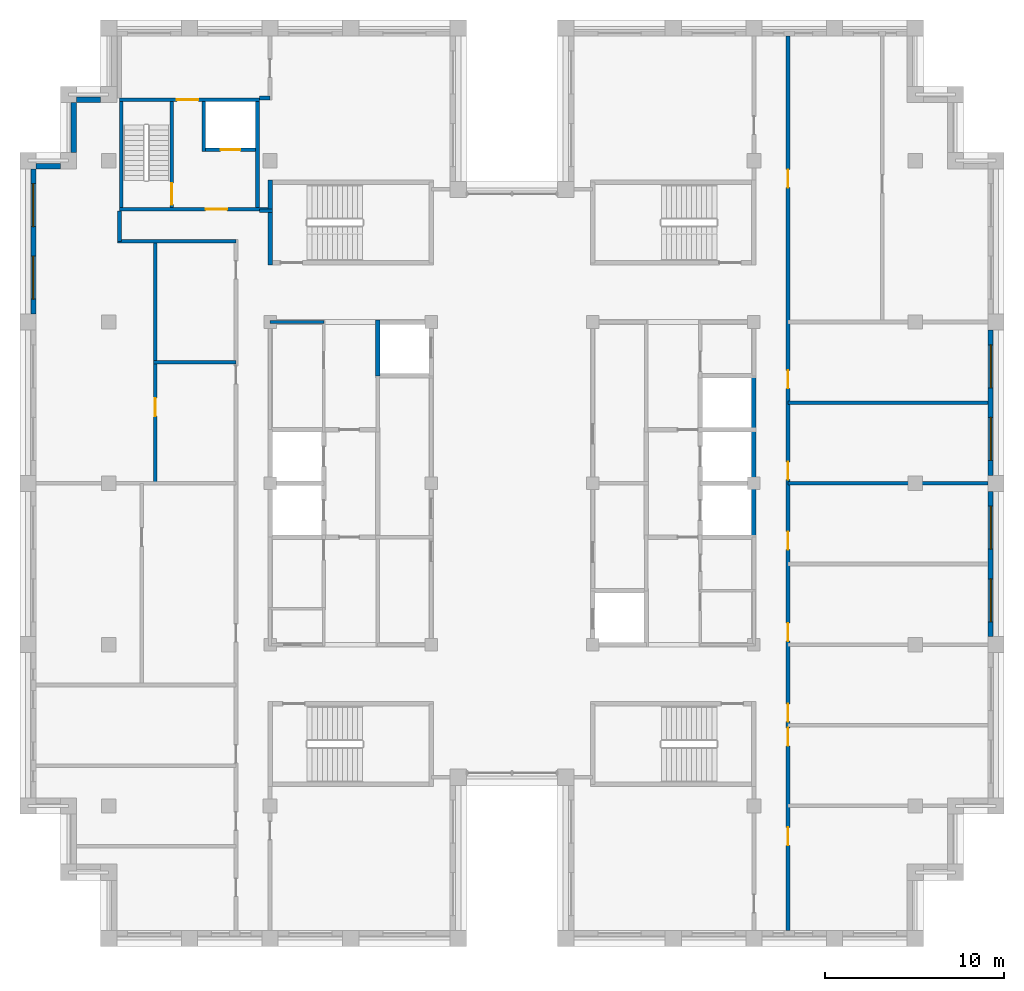
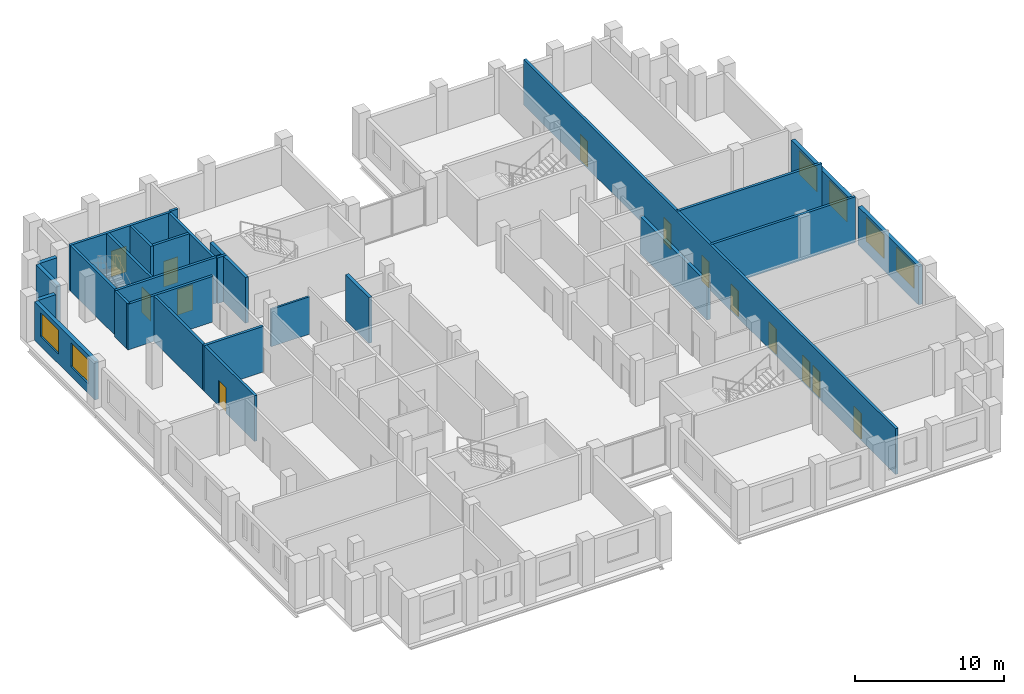
# One storey, part 9 of 13: 26 walls, 13 doors, 6 windows, 19 openings.
"""IFC4 building model written with IfcOpenShell, lengths in metres."""

import ifcopenshell
import ifcopenshell.guid

model = None  # the IFC model being written
_history = None  # IfcOwnerHistory: only IFC2X3 demands one
_inside = {}  # id of a spatial element -> (the spatial element, [elements in it])
_under = {}  # id of a project, library or spatial element -> (it, [spatial elements below it])
_declared = {}  # id of a project -> (the project, [libraries it declares])
_typed = {}  # id of a type object -> (the type object, [elements of that type])
_made_of = {}  # id of a material, layer set ... -> (it, [elements and type objects made of it])


def new_model(schema):
    """Start an empty IFC model of exactly this schema.

    Asked for "IFC4X3", IfcOpenShell would pick the latest addendum, in which some entities
    have other attributes; the version numbers below select the first issue.
    IFC2X3 requires an IfcOwnerHistory on every rooted entity: one is made here for all.
    """
    global model, _history
    if schema == "IFC4X3":
        model = ifcopenshell.file(schema_version=(4, 3, 0, 0))
    else:
        model = ifcopenshell.file(schema=schema)
    _inside.clear()
    _under.clear()
    _declared.clear()
    _typed.clear()
    _made_of.clear()
    _history = None
    if model.schema == "IFC2X3":
        org = make("IfcOrganization", Name="unknown")
        user = make(
            "IfcPersonAndOrganization",
            ThePerson=make("IfcPerson", FamilyName="unknown"),
            TheOrganization=org,
        )
        app = make(
            "IfcApplication",
            ApplicationDeveloper=org,
            Version="unknown",
            ApplicationFullName="unknown",
            ApplicationIdentifier="unknown",
        )
        _history = make(
            "IfcOwnerHistory",
            OwningUser=user,
            OwningApplication=app,
            ChangeAction="ADDED",
            CreationDate=0,
        )
    return model


def make(cls, **values):
    """One entity of the class cls with the attributes given. An attribute that is None is left unset."""
    return model.create_entity(
        cls, **{name: value for name, value in values.items() if value is not None}
    )


def rooted(cls, **values):
    """An entity with a GlobalId (a new one), such as an element, a storey or a relation."""
    return make(cls, GlobalId=ifcopenshell.guid.new(), OwnerHistory=_history, **values)


def si_unit(unit_type, name, prefix=None):
    """IfcSIUnit, for example si_unit("LENGTHUNIT", "METRE", prefix="MILLI")."""
    return make("IfcSIUnit", UnitType=unit_type, Prefix=prefix, Name=name)


def assignment(units):
    """IfcUnitAssignment: the units of a project."""
    return None if units is None else make("IfcUnitAssignment", Units=units)


def point(xyz):
    """IfcCartesianPoint."""
    return None if xyz is None else make("IfcCartesianPoint", Coordinates=xyz)


def direction(xyz):
    """IfcDirection."""
    return None if xyz is None else make("IfcDirection", DirectionRatios=xyz)


def frame(location, z_axis=None, x_axis=None):
    """IfcAxis2Placement3D, a coordinate frame: its origin and axes. An axis left out is left unset."""
    return make(
        "IfcAxis2Placement3D",
        Location=point(location),
        Axis=direction(z_axis),
        RefDirection=direction(x_axis),
    )


def frame_2d(location, x_axis=None):
    """IfcAxis2Placement2D, a coordinate frame in the plane: its origin and x axis."""
    return make(
        "IfcAxis2Placement2D", Location=point(location), RefDirection=direction(x_axis)
    )


def origin():
    """The frame at (0, 0, 0) with its axes left unset."""
    return frame((0.0, 0.0, 0.0))


def place(relative_to, where):
    """IfcLocalPlacement: puts the frame where relative to a parent placement (None: the world)."""
    return make(
        "IfcLocalPlacement", PlacementRelTo=relative_to, RelativePlacement=where
    )


def context(
    kind, dimensions, precision=None, world=None, true_north=None, identifier=None
):
    """IfcGeometricRepresentationContext, for example the 3D "Model" context."""
    return make(
        "IfcGeometricRepresentationContext",
        ContextIdentifier=identifier,
        ContextType=kind,
        CoordinateSpaceDimension=dimensions,
        Precision=precision,
        WorldCoordinateSystem=world,
        TrueNorth=true_north,
    )


def subcontext(parent, identifier, kind, view, scale=None):
    """IfcGeometricRepresentationSubContext, for example "Body" below "Model"."""
    return make(
        "IfcGeometricRepresentationSubContext",
        ContextIdentifier=identifier,
        ContextType=kind,
        ParentContext=parent,
        TargetScale=scale,
        TargetView=view,
    )


def project(units=None, contexts=None):
    """IfcProject with its units and contexts."""
    return rooted(
        "IfcProject",
        Name="project",
        RepresentationContexts=contexts,
        UnitsInContext=assignment(units),
    )


def spatial(cls, under=None, at=None, **own):
    """A site, building, storey or space (cls), placed at a placement, below another one or the project."""
    s = rooted(cls, ObjectPlacement=at, **own)
    if under is not None:
        _under.setdefault(under.id(), (under, []))[1].append(s)
    return s


def profile(cls, at=None, kind="AREA", **sizes):
    """A parametric profile (cls). Its sizes go by their IFC names, for example OverallWidth=200.0."""
    return make(cls, ProfileType=kind, Position=at, **sizes)


def rectangle(**sizes):
    """IfcRectangleProfileDef."""
    return profile("IfcRectangleProfileDef", **sizes)


def extrude(swept, where, along, depth):
    """IfcExtrudedAreaSolid: the profile swept, set in the frame where, extruded along a direction by depth."""
    return make(
        "IfcExtrudedAreaSolid",
        SweptArea=swept,
        Position=where,
        ExtrudedDirection=direction(along),
        Depth=depth,
    )


def shape(context_of_items, identifier, shape_type, items):
    """IfcShapeRepresentation: the items that make up one representation, for example the "Body"."""
    return make(
        "IfcShapeRepresentation",
        ContextOfItems=context_of_items,
        RepresentationIdentifier=identifier,
        RepresentationType=shape_type,
        Items=items,
    )


def material(Name=None, Category=None):
    """IfcMaterial."""
    return make("IfcMaterial", Name=Name, Category=Category)


def layer(
    of_material, thickness, ventilated=None, Name=None, Category=None, Priority=None
):
    """IfcMaterialLayer: one layer of a wall or slab, of a material (None: an air gap)."""
    return make(
        "IfcMaterialLayer",
        Material=of_material,
        LayerThickness=thickness,
        IsVentilated=ventilated,
        Name=Name,
        Category=Category,
        Priority=Priority,
    )


def layer_set(layers, Name=None):
    """IfcMaterialLayerSet."""
    return make("IfcMaterialLayerSet", MaterialLayers=layers, LayerSetName=Name)


def made_of(thing, what):
    """Note that an element or type object is made of a material, layer set ...; save() writes the relation."""
    if what is not None:
        _made_of.setdefault(what.id(), (what, []))[1].append(thing)
    return thing


def type_object(cls, material=None, **own):
    """A type object (cls), such as IfcWallType, which elements share."""
    return made_of(rooted(cls, **own), material)


def element(
    cls,
    number,
    at=None,
    inside=None,
    cuts=None,
    type_object=None,
    material=None,
    context=None,
    identifier="Body",
    shape_type=None,
    held_by="IfcProductDefinitionShape",
    body=None,
    shapes=None,
    **own,
):
    """One element of the class cls, such as IfcWall. Its Tag is "e" and its number.

    at: its placement. inside: the storey or other place that contains it. cuts: it is an
    opening in that element (IfcRelVoidsElement). A single representation is given by context,
    identifier, shape_type and body (its items); several are given by shapes. held_by: the class
    of the entity that holds the representations. save() writes the other relations.
    """
    e = rooted(cls, Tag="e%d" % number, ObjectPlacement=at, **own)
    if body is not None:
        shapes = [shape(context, identifier, shape_type, body)]
    if shapes is not None:
        e.Representation = make(held_by, Representations=shapes)
    if inside is not None:
        _inside.setdefault(inside.id(), (inside, []))[1].append(e)
    if cuts is not None:
        rooted(
            "IfcRelVoidsElement", RelatingBuildingElement=cuts, RelatedOpeningElement=e
        )
    if type_object is not None:
        _typed.setdefault(type_object.id(), (type_object, []))[1].append(e)
    return made_of(e, material)


def fill(opening, filler):
    """IfcRelFillsElement: the door or window that sits in an opening."""
    return rooted(
        "IfcRelFillsElement",
        RelatingOpeningElement=opening,
        RelatedBuildingElement=filler,
    )


def aggregate(whole, parts):
    """IfcRelAggregates: a whole, such as a stair, and the parts it consists of."""
    return rooted("IfcRelAggregates", RelatingObject=whole, RelatedObjects=parts)


def save(model, path):
    """Write the relations noted so far, then the file.

    IfcRelAggregates (storeys below a building ...), IfcRelContainedInSpatialStructure (elements
    in a storey), IfcRelDefinesByType, IfcRelAssociatesMaterial and IfcRelDeclares: one each for
    every whole, place, type object, material and project.
    """
    for whole, parts in _under.values():
        aggregate(whole, parts)
    for where, things in _inside.values():
        rooted(
            "IfcRelContainedInSpatialStructure",
            RelatedElements=things,
            RelatingStructure=where,
        )
    for kind, things in _typed.values():
        rooted("IfcRelDefinesByType", RelatedObjects=things, RelatingType=kind)
    for what, things in _made_of.values():
        rooted("IfcRelAssociatesMaterial", RelatedObjects=things, RelatingMaterial=what)
    for by, libraries in _declared.values():
        rooted("IfcRelDeclares", RelatingContext=by, RelatedDefinitions=libraries)
    model.write(path)


model = new_model("IFC4")

# Units and contexts
model_context = context("Model", 3, precision=1e-05, world=origin(), true_north=direction((0.0, 1.0)))
body_context = subcontext(model_context, "Body", "Model", "MODEL_VIEW")
ifc_project = project(units=[si_unit("LENGTHUNIT", "METRE"), si_unit("AREAUNIT", "SQUARE_METRE"), si_unit("VOLUMEUNIT", "CUBIC_METRE"), si_unit("PLANEANGLEUNIT", "RADIAN"), si_unit("MASSUNIT", "GRAM", prefix="KILO")], contexts=[model_context])

# Site, building, storey
site_placement = place(None, origin())
site = spatial("IfcSite", under=ifc_project, at=site_placement, CompositionType="ELEMENT")
building_placement = place(site_placement, origin())
building = spatial("IfcBuilding", under=site, at=building_placement, Name="Corbelhall Arena Tower", CompositionType="ELEMENT")
storey_placement = place(building_placement, frame((0.0, 0.0, 338.0)))
storey = spatial("IfcBuildingStorey", under=building, at=storey_placement, Name="L74", CompositionType="ELEMENT", Elevation=338.0)

# Walls
ifc_material_1 = material(Name="Precast concrete C40/50 with granite facing", Category="masonry")
ifc_layer_1 = layer(ifc_material_1, 0.300048828125)
ifc_layer_set_1 = layer_set([ifc_layer_1], Name="EV-IW1 Infill panel 300")
wall_type_1 = type_object("IfcWallType", Name="EV-IW1 Infill panel 300", PredefinedType="SOLIDWALL", material=ifc_layer_set_1)
wall_1_placement = place(storey_placement, frame((-24.449951171875, 21.25, 0.0), z_axis=(0.0, 0.0, 1.0), x_axis=(0.0, -1.0, 0.0)))
element("IfcWall", 1, at=wall_1_placement, inside=storey, type_object=wall_type_1, Name="Infill panel IW1", PredefinedType="SOLIDWALL", context=body_context, shape_type="SweptSolid", body=[
    extrude(rectangle(XDim=2.800048828125, YDim=0.300048828125, at=frame_2d((1.39990234375, 0.0))), origin(), (0.0, 0.0, 1.0), 3.139892578125),
])
wall_2_placement = place(storey_placement, frame((-25.199951171875, 17.699951171875, 0.0), z_axis=(0.0, 0.0, 1.0), x_axis=(-1.0, 0.0, 0.0)))
element("IfcWall", 2, at=wall_2_placement, inside=storey, type_object=wall_type_1, Name="Infill panel IW1", PredefinedType="SOLIDWALL", context=body_context, shape_type="SweptSolid", body=[
    extrude(rectangle(XDim=1.35009765625, YDim=0.300048828125, at=frame_2d((0.675048828125, 0.0))), origin(), (0.0, 0.0, 1.0), 3.139892578125),
])

# Wall, openings, windows
wall_3_placement = place(storey_placement, frame((-26.699951171875, 17.550048828125, 0.0), z_axis=(0.0, 0.0, 1.0), x_axis=(0.0, -1.0, 0.0)))
wall_3 = element("IfcWall", 3, at=wall_3_placement, inside=storey, type_object=wall_type_1, Name="Infill panel IW1", PredefinedType="SOLIDWALL", context=body_context, shape_type="SweptSolid", body=[
    extrude(rectangle(XDim=8.10009765625, YDim=0.300048828125, at=frame_2d((4.050048828125, 0.0))), origin(), (0.0, 0.0, 1.0), 3.139892578125),
])
opening_1_placement = place(wall_3_placement, frame((0.824951171875, 0.0, 0.800048828125)))
opening_1 = element("IfcOpeningElement", 4, at=opening_1_placement, cuts=wall_3, Name="Opening WN1", PredefinedType="OPENING", context=body_context, shape_type="SweptSolid", body=[
    extrude(rectangle(XDim=2.39990234375, YDim=1.949951171875, at=frame_2d((1.199951171875, 0.97509765625))), frame((0.0, 0.14990234375, 0.0), z_axis=(0.0, -1.0, 0.0), x_axis=(1.0, 0.0, 0.0)), (0.0, 0.0, 1.0), 0.300048828125),
])
opening_2_placement = place(wall_3_placement, frame((4.875, 0.0, 0.800048828125)))
opening_2 = element("IfcOpeningElement", 5, at=opening_2_placement, cuts=wall_3, Name="Opening WN1", PredefinedType="OPENING", context=body_context, shape_type="SweptSolid", body=[
    extrude(rectangle(XDim=2.39990234375, YDim=1.949951171875, at=frame_2d((1.199951171875, 0.97509765625))), frame((0.0, 0.14990234375, 0.0), z_axis=(0.0, -1.0, 0.0), x_axis=(1.0, 0.0, 0.0)), (0.0, 0.0, 1.0), 0.300048828125),
])
ifc_material_2 = material(Name="Aluminium black anodised", Category="aluminium")
window_type = type_object("IfcWindowType", Name="EV-WN1 Office window", PartitioningType="SINGLE_PANEL", PredefinedType="WINDOW", material=ifc_material_2)
window_1_placement = place(opening_1_placement, origin())
window_1 = element("IfcWindow", 6, at=window_1_placement, inside=storey, type_object=window_type, Name="Window WN1", OverallHeight=1.949951171875, OverallWidth=2.39990234375, PartitioningType="SINGLE_PANEL", PredefinedType="WINDOW", context=body_context, shape_type="SweptSolid", body=[
    extrude(rectangle(XDim=2.39990234375, YDim=1.949951171875, at=frame_2d((1.199951171875, 0.97509765625))), frame((0.0, 0.030029296875, 0.0), z_axis=(0.0, -1.0, 0.0), x_axis=(1.0, 0.0, 0.0)), (0.0, 0.0, 1.0), 0.06005859375),
])
fill(opening_1, window_1)
window_2_placement = place(opening_2_placement, origin())
window_2 = element("IfcWindow", 7, at=window_2_placement, inside=storey, type_object=window_type, Name="Window WN1", OverallHeight=1.949951171875, OverallWidth=2.39990234375, PartitioningType="SINGLE_PANEL", PredefinedType="WINDOW", context=body_context, shape_type="SweptSolid", body=[
    extrude(rectangle(XDim=2.39990234375, YDim=1.949951171875, at=frame_2d((1.199951171875, 0.97509765625))), frame((0.0, 0.030029296875, 0.0), z_axis=(0.0, -1.0, 0.0), x_axis=(1.0, 0.0, 0.0)), (0.0, 0.0, 1.0), 0.06005859375),
])
fill(opening_2, window_2)

wall_4_placement = place(storey_placement, frame((26.699951171875, -8.550048828125, 0.0), z_axis=(0.0, 0.0, 1.0), x_axis=(0.0, 1.0, 0.0)))
wall_4 = element("IfcWall", 8, at=wall_4_placement, inside=storey, type_object=wall_type_1, Name="Infill panel IW1", PredefinedType="SOLIDWALL", context=body_context, shape_type="SweptSolid", body=[
    extrude(rectangle(XDim=8.10009765625, YDim=0.300048828125, at=frame_2d((4.050048828125, 0.0))), origin(), (0.0, 0.0, 1.0), 3.139892578125),
])
opening_3_placement = place(wall_4_placement, frame((0.824951171875, 0.0, 0.800048828125)))
opening_3 = element("IfcOpeningElement", 9, at=opening_3_placement, cuts=wall_4, Name="Opening WN1", PredefinedType="OPENING", context=body_context, shape_type="SweptSolid", body=[
    extrude(rectangle(XDim=2.39990234375, YDim=1.949951171875, at=frame_2d((1.199951171875, 0.97509765625))), frame((0.0, 0.14990234375, 0.0), z_axis=(0.0, -1.0, 0.0), x_axis=(1.0, 0.0, 0.0)), (0.0, 0.0, 1.0), 0.300048828125),
])
opening_4_placement = place(wall_4_placement, frame((4.875, 0.0, 0.800048828125)))
opening_4 = element("IfcOpeningElement", 10, at=opening_4_placement, cuts=wall_4, Name="Opening WN1", PredefinedType="OPENING", context=body_context, shape_type="SweptSolid", body=[
    extrude(rectangle(XDim=2.39990234375, YDim=1.949951171875, at=frame_2d((1.199951171875, 0.97509765625))), frame((0.0, 0.14990234375, 0.0), z_axis=(0.0, -1.0, 0.0), x_axis=(1.0, 0.0, 0.0)), (0.0, 0.0, 1.0), 0.300048828125),
])
window_3_placement = place(opening_3_placement, origin())
window_3 = element("IfcWindow", 11, at=window_3_placement, inside=storey, type_object=window_type, Name="Window WN1", OverallHeight=1.949951171875, OverallWidth=2.39990234375, PartitioningType="SINGLE_PANEL", PredefinedType="WINDOW", context=body_context, shape_type="SweptSolid", body=[
    extrude(rectangle(XDim=2.39990234375, YDim=1.949951171875, at=frame_2d((1.199951171875, 0.97509765625))), frame((0.0, 0.030029296875, 0.0), z_axis=(0.0, -1.0, 0.0), x_axis=(1.0, 0.0, 0.0)), (0.0, 0.0, 1.0), 0.06005859375),
])
fill(opening_3, window_3)
window_4_placement = place(opening_4_placement, origin())
window_4 = element("IfcWindow", 12, at=window_4_placement, inside=storey, type_object=window_type, Name="Window WN1", OverallHeight=1.949951171875, OverallWidth=2.39990234375, PartitioningType="SINGLE_PANEL", PredefinedType="WINDOW", context=body_context, shape_type="SweptSolid", body=[
    extrude(rectangle(XDim=2.39990234375, YDim=1.949951171875, at=frame_2d((1.199951171875, 0.97509765625))), frame((0.0, 0.030029296875, 0.0), z_axis=(0.0, -1.0, 0.0), x_axis=(1.0, 0.0, 0.0)), (0.0, 0.0, 1.0), 0.06005859375),
])
fill(opening_4, window_4)

wall_5_placement = place(storey_placement, frame((26.699951171875, 0.449951171875, 0.0), z_axis=(0.0, 0.0, 1.0), x_axis=(0.0, 1.0, 0.0)))
wall_5 = element("IfcWall", 13, at=wall_5_placement, inside=storey, type_object=wall_type_1, Name="Infill panel IW1", PredefinedType="SOLIDWALL", context=body_context, shape_type="SweptSolid", body=[
    extrude(rectangle(XDim=8.10009765625, YDim=0.300048828125, at=frame_2d((4.050048828125, 0.0))), origin(), (0.0, 0.0, 1.0), 3.139892578125),
])
opening_5_placement = place(wall_5_placement, frame((0.824951171875, 0.0, 0.800048828125)))
opening_5 = element("IfcOpeningElement", 14, at=opening_5_placement, cuts=wall_5, Name="Opening WN1", PredefinedType="OPENING", context=body_context, shape_type="SweptSolid", body=[
    extrude(rectangle(XDim=2.39990234375, YDim=1.949951171875, at=frame_2d((1.199951171875, 0.97509765625))), frame((0.0, 0.14990234375, 0.0), z_axis=(0.0, -1.0, 0.0), x_axis=(1.0, 0.0, 0.0)), (0.0, 0.0, 1.0), 0.300048828125),
])
opening_6_placement = place(wall_5_placement, frame((4.875, 0.0, 0.800048828125)))
opening_6 = element("IfcOpeningElement", 15, at=opening_6_placement, cuts=wall_5, Name="Opening WN1", PredefinedType="OPENING", context=body_context, shape_type="SweptSolid", body=[
    extrude(rectangle(XDim=2.39990234375, YDim=1.949951171875, at=frame_2d((1.199951171875, 0.97509765625))), frame((0.0, 0.14990234375, 0.0), z_axis=(0.0, -1.0, 0.0), x_axis=(1.0, 0.0, 0.0)), (0.0, 0.0, 1.0), 0.300048828125),
])
window_5_placement = place(opening_5_placement, origin())
window_5 = element("IfcWindow", 16, at=window_5_placement, inside=storey, type_object=window_type, Name="Window WN1", OverallHeight=1.949951171875, OverallWidth=2.39990234375, PartitioningType="SINGLE_PANEL", PredefinedType="WINDOW", context=body_context, shape_type="SweptSolid", body=[
    extrude(rectangle(XDim=2.39990234375, YDim=1.949951171875, at=frame_2d((1.199951171875, 0.97509765625))), frame((0.0, 0.030029296875, 0.0), z_axis=(0.0, -1.0, 0.0), x_axis=(1.0, 0.0, 0.0)), (0.0, 0.0, 1.0), 0.06005859375),
])
fill(opening_5, window_5)
window_6_placement = place(opening_6_placement, origin())
window_6 = element("IfcWindow", 17, at=window_6_placement, inside=storey, type_object=window_type, Name="Window WN1", OverallHeight=1.949951171875, OverallWidth=2.39990234375, PartitioningType="SINGLE_PANEL", PredefinedType="WINDOW", context=body_context, shape_type="SweptSolid", body=[
    extrude(rectangle(XDim=2.39990234375, YDim=1.949951171875, at=frame_2d((1.199951171875, 0.97509765625))), frame((0.0, 0.030029296875, 0.0), z_axis=(0.0, -1.0, 0.0), x_axis=(1.0, 0.0, 0.0)), (0.0, 0.0, 1.0), 0.06005859375),
])
fill(opening_6, window_6)

# Walls
wall_6_placement = place(storey_placement, frame((-22.949951171875, 21.39990234375, 0.0), z_axis=(0.0, 0.0, 1.0), x_axis=(-1.0, 0.0, 0.0)))
element("IfcWall", 18, at=wall_6_placement, inside=storey, type_object=wall_type_1, Name="Infill panel IW1", PredefinedType="SOLIDWALL", context=body_context, shape_type="SweptSolid", body=[
    extrude(rectangle(XDim=1.35009765625, YDim=0.300048828125, at=frame_2d((0.675048828125, 0.0))), origin(), (0.0, 0.0, 1.0), 3.139892578125),
])
ifc_material_3 = material(Name="Gypsum board on steel stud, acoustic", Category="steel")
ifc_layer_2 = layer(ifc_material_3, 0.199951171875)
ifc_layer_set_2 = layer_set([ifc_layer_2], Name="IN-W-DM200")
wall_type_2 = type_object("IfcWallType", Name="IN-W-DM200", PredefinedType="PARTITIONING", material=ifc_layer_set_2)
wall_7_placement = place(storey_placement, frame((-21.89990234375, 13.5, 0.0), z_axis=(0.0, 0.0, 1.0), x_axis=(0.0, 1.0, 0.0)))
element("IfcWall", 19, at=wall_7_placement, inside=storey, type_object=wall_type_2, Name="Partition 004", PredefinedType="PARTITIONING", context=body_context, shape_type="SweptSolid", body=[
    extrude(rectangle(XDim=1.699951171875, YDim=0.199951171875, at=frame_2d((0.85009765625, 0.0))), origin(), (0.0, 0.0, 1.0), 3.739990234375),
])
wall_8_placement = place(storey_placement, frame((-20.0, 6.75, 0.0), z_axis=(0.0, 0.0, 1.0), x_axis=(1.0, 0.0, 0.0)))
element("IfcWall", 20, at=wall_8_placement, inside=storey, type_object=wall_type_2, Name="Partition 008", PredefinedType="PARTITIONING", context=body_context, shape_type="SweptSolid", body=[
    extrude(rectangle(XDim=4.60009765625, YDim=0.199951171875, at=frame_2d((2.300048828125, 0.0))), origin(), (0.0, 0.0, 1.0), 3.739990234375),
])

# Wall, opening, door
wall_9_placement = place(storey_placement, frame((-19.89990234375, -0.10009765625, 0.0), z_axis=(0.0, 0.0, 1.0), x_axis=(0.0, 1.0, 0.0)))
wall_9 = element("IfcWall", 21, at=wall_9_placement, inside=storey, type_object=wall_type_2, Name="Partition 009", PredefinedType="PARTITIONING", context=body_context, shape_type="SweptSolid", body=[
    extrude(rectangle(XDim=13.60009765625, YDim=0.199951171875, at=frame_2d((6.800048828125, 0.0))), origin(), (0.0, 0.0, 1.0), 3.739990234375),
])
opening_7_placement = place(wall_9_placement, frame((3.85009765625, 0.0, 0.0)))
opening_7 = element("IfcOpeningElement", 22, at=opening_7_placement, cuts=wall_9, Name="Opening 24024", PredefinedType="OPENING", context=body_context, shape_type="SweptSolid", body=[
    extrude(rectangle(XDim=1.0, YDim=2.10009765625, at=frame_2d((0.5, 1.050048828125))), frame((0.0, 0.10009765625, 0.0), z_axis=(0.0, -1.0, 0.0), x_axis=(1.0, 0.0, 0.0)), (0.0, 0.0, 1.0), 0.199951171875),
])
ifc_material_4 = material(Name="Steel door set", Category="steel")
door_type_1 = type_object("IfcDoorType", Name="IN-D-SW100", OperationType="NOTDEFINED", PredefinedType="DOOR", material=ifc_material_4)
door_1_placement = place(opening_7_placement, origin())
door_1 = element("IfcDoor", 23, at=door_1_placement, inside=storey, type_object=door_type_1, Name="Door 024", OperationType="SINGLE_SWING_LEFT", OverallHeight=2.10009765625, OverallWidth=1.0, PredefinedType="DOOR", context=body_context, shape_type="SweptSolid", body=[
    extrude(rectangle(XDim=1.0, YDim=2.10009765625, at=frame_2d((0.5, 1.050048828125))), frame((0.0, 0.02490234375, 0.0), z_axis=(0.0, -1.0, 0.0), x_axis=(1.0, 0.0, 0.0)), (0.0, 0.0, 1.0), 0.050048828125),
])
fill(opening_7, door_1)

# Walls
wall_10_placement = place(storey_placement, frame((-15.39990234375, 13.5, 0.0), z_axis=(0.0, 0.0, 1.0), x_axis=(-1.0, 0.0, 0.0)))
element("IfcWall", 24, at=wall_10_placement, inside=storey, type_object=wall_type_2, Name="Partition 010", PredefinedType="PARTITIONING", context=body_context, shape_type="SweptSolid", body=[
    extrude(rectangle(XDim=6.60009765625, YDim=0.199951171875, at=frame_2d((3.300048828125, 0.0))), origin(), (0.0, 0.0, 1.0), 3.739990234375),
])
wall_11_placement = place(storey_placement, frame((-14.10009765625, 15.199951171875, 0.0), z_axis=(0.0, 0.0, 1.0), x_axis=(1.0, 0.0, 0.0)))
element("IfcWall", 25, at=wall_11_placement, inside=storey, type_object=wall_type_2, Name="Partition 012", PredefinedType="PARTITIONING", context=body_context, shape_type="SweptSolid", body=[
    extrude(rectangle(XDim=0.72509765625, YDim=0.199951171875, at=frame_2d((0.362548828125, 0.0))), origin(), (0.0, 0.0, 1.0), 3.739990234375),
])
wall_12_placement = place(storey_placement, frame((-13.5, 21.5, 0.0), z_axis=(0.0, 0.0, 1.0), x_axis=(-1.0, 0.0, 0.0)))
element("IfcWall", 26, at=wall_12_placement, inside=storey, type_object=wall_type_2, Name="Partition 014", PredefinedType="PARTITIONING", context=body_context, shape_type="SweptSolid", body=[
    extrude(rectangle(XDim=0.60009765625, YDim=0.199951171875, at=frame_2d((0.300048828125, 0.0))), origin(), (0.0, 0.0, 1.0), 3.739990234375),
])

# Wall, openings, doors
wall_13_placement = place(storey_placement, frame((15.39990234375, 24.949951171875, 0.0), z_axis=(0.0, 0.0, 1.0), x_axis=(0.0, -1.0, 0.0)))
wall_13 = element("IfcWall", 27, at=wall_13_placement, inside=storey, type_object=wall_type_2, Name="Partition 023", PredefinedType="PARTITIONING", context=body_context, shape_type="SweptSolid", body=[
    extrude(rectangle(XDim=49.89990234375, YDim=0.199951171875, at=frame_2d((24.949951171875, 0.0))), origin(), (0.0, 0.0, 1.0), 3.739990234375),
])
opening_8_placement = place(wall_13_placement, frame((23.75, 0.0, 0.0)))
opening_8 = element("IfcOpeningElement", 28, at=opening_8_placement, cuts=wall_13, Name="Opening 24030", PredefinedType="OPENING", context=body_context, shape_type="SweptSolid", body=[
    extrude(rectangle(XDim=1.0, YDim=2.10009765625, at=frame_2d((0.5, 1.050048828125))), frame((0.0, 0.10009765625, 0.0), z_axis=(0.0, -1.0, 0.0), x_axis=(1.0, 0.0, 0.0)), (0.0, 0.0, 1.0), 0.199951171875),
])
opening_9_placement = place(wall_13_placement, frame((18.64990234375, 0.0, 0.0)))
opening_9 = element("IfcOpeningElement", 29, at=opening_9_placement, cuts=wall_13, Name="Opening 24031", PredefinedType="OPENING", context=body_context, shape_type="SweptSolid", body=[
    extrude(rectangle(XDim=1.0, YDim=2.10009765625, at=frame_2d((0.5, 1.050048828125))), frame((0.0, 0.10009765625, 0.0), z_axis=(0.0, -1.0, 0.0), x_axis=(1.0, 0.0, 0.0)), (0.0, 0.0, 1.0), 0.199951171875),
])
opening_10_placement = place(wall_13_placement, frame((7.449951171875, 0.0, 0.0)))
opening_10 = element("IfcOpeningElement", 30, at=opening_10_placement, cuts=wall_13, Name="Opening 24032", PredefinedType="OPENING", context=body_context, shape_type="SweptSolid", body=[
    extrude(rectangle(XDim=1.0, YDim=2.10009765625, at=frame_2d((0.5, 1.050048828125))), frame((0.0, 0.10009765625, 0.0), z_axis=(0.0, -1.0, 0.0), x_axis=(1.0, 0.0, 0.0)), (0.0, 0.0, 1.0), 0.199951171875),
])
opening_11_placement = place(wall_13_placement, frame((44.14990234375, 0.0, 0.0)))
opening_11 = element("IfcOpeningElement", 31, at=opening_11_placement, cuts=wall_13, Name="Opening 24034", PredefinedType="OPENING", context=body_context, shape_type="SweptSolid", body=[
    extrude(rectangle(XDim=1.0, YDim=2.10009765625, at=frame_2d((0.5, 1.050048828125))), frame((0.0, 0.10009765625, 0.0), z_axis=(0.0, -1.0, 0.0), x_axis=(1.0, 0.0, 0.0)), (0.0, 0.0, 1.0), 0.199951171875),
])
opening_12_placement = place(wall_13_placement, frame((38.60009765625, 0.0, 0.0)))
opening_12 = element("IfcOpeningElement", 32, at=opening_12_placement, cuts=wall_13, Name="Opening 24035", PredefinedType="OPENING", context=body_context, shape_type="SweptSolid", body=[
    extrude(rectangle(XDim=1.0, YDim=2.10009765625, at=frame_2d((0.5, 1.050048828125))), frame((0.0, 0.10009765625, 0.0), z_axis=(0.0, -1.0, 0.0), x_axis=(1.0, 0.0, 0.0)), (0.0, 0.0, 1.0), 0.199951171875),
])
opening_13_placement = place(wall_13_placement, frame((37.25, 0.0, 0.0)))
opening_13 = element("IfcOpeningElement", 33, at=opening_13_placement, cuts=wall_13, Name="Opening 24036", PredefinedType="OPENING", context=body_context, shape_type="SweptSolid", body=[
    extrude(rectangle(XDim=1.0, YDim=2.10009765625, at=frame_2d((0.5, 1.050048828125))), frame((0.0, 0.10009765625, 0.0), z_axis=(0.0, -1.0, 0.0), x_axis=(1.0, 0.0, 0.0)), (0.0, 0.0, 1.0), 0.199951171875),
])
opening_14_placement = place(wall_13_placement, frame((32.75, 0.0, 0.0)))
opening_14 = element("IfcOpeningElement", 34, at=opening_14_placement, cuts=wall_13, Name="Opening 24037", PredefinedType="OPENING", context=body_context, shape_type="SweptSolid", body=[
    extrude(rectangle(XDim=1.0, YDim=2.10009765625, at=frame_2d((0.5, 1.050048828125))), frame((0.0, 0.10009765625, 0.0), z_axis=(0.0, -1.0, 0.0), x_axis=(1.0, 0.0, 0.0)), (0.0, 0.0, 1.0), 0.199951171875),
])
opening_15_placement = place(wall_13_placement, frame((27.64990234375, 0.0, 0.0)))
opening_15 = element("IfcOpeningElement", 35, at=opening_15_placement, cuts=wall_13, Name="Opening 24038", PredefinedType="OPENING", context=body_context, shape_type="SweptSolid", body=[
    extrude(rectangle(XDim=1.0, YDim=2.10009765625, at=frame_2d((0.5, 1.050048828125))), frame((0.0, 0.10009765625, 0.0), z_axis=(0.0, -1.0, 0.0), x_axis=(1.0, 0.0, 0.0)), (0.0, 0.0, 1.0), 0.199951171875),
])
door_2_placement = place(opening_8_placement, origin())
door_2 = element("IfcDoor", 36, at=door_2_placement, inside=storey, type_object=door_type_1, Name="Door 030", OperationType="SINGLE_SWING_LEFT", OverallHeight=2.10009765625, OverallWidth=1.0, PredefinedType="DOOR", context=body_context, shape_type="SweptSolid", body=[
    extrude(rectangle(XDim=1.0, YDim=2.10009765625, at=frame_2d((0.5, 1.050048828125))), frame((0.0, 0.02490234375, 0.0), z_axis=(0.0, -1.0, 0.0), x_axis=(1.0, 0.0, 0.0)), (0.0, 0.0, 1.0), 0.050048828125),
])
fill(opening_8, door_2)
door_3_placement = place(opening_9_placement, origin())
door_3 = element("IfcDoor", 37, at=door_3_placement, inside=storey, type_object=door_type_1, Name="Door 031", OperationType="SINGLE_SWING_RIGHT", OverallHeight=2.10009765625, OverallWidth=1.0, PredefinedType="DOOR", context=body_context, shape_type="SweptSolid", body=[
    extrude(rectangle(XDim=1.0, YDim=2.10009765625, at=frame_2d((0.5, 1.050048828125))), frame((0.0, 0.02490234375, 0.0), z_axis=(0.0, -1.0, 0.0), x_axis=(1.0, 0.0, 0.0)), (0.0, 0.0, 1.0), 0.050048828125),
])
fill(opening_9, door_3)
door_4_placement = place(opening_10_placement, origin())
door_4 = element("IfcDoor", 38, at=door_4_placement, inside=storey, type_object=door_type_1, Name="Door 032", OperationType="SINGLE_SWING_LEFT", OverallHeight=2.10009765625, OverallWidth=1.0, PredefinedType="DOOR", context=body_context, shape_type="SweptSolid", body=[
    extrude(rectangle(XDim=1.0, YDim=2.10009765625, at=frame_2d((0.5, 1.050048828125))), frame((0.0, 0.02490234375, 0.0), z_axis=(0.0, -1.0, 0.0), x_axis=(1.0, 0.0, 0.0)), (0.0, 0.0, 1.0), 0.050048828125),
])
fill(opening_10, door_4)
door_5_placement = place(opening_11_placement, origin())
door_5 = element("IfcDoor", 39, at=door_5_placement, inside=storey, type_object=door_type_1, Name="Door 034", OperationType="SINGLE_SWING_LEFT", OverallHeight=2.10009765625, OverallWidth=1.0, PredefinedType="DOOR", context=body_context, shape_type="SweptSolid", body=[
    extrude(rectangle(XDim=1.0, YDim=2.10009765625, at=frame_2d((0.5, 1.050048828125))), frame((0.0, 0.02490234375, 0.0), z_axis=(0.0, -1.0, 0.0), x_axis=(1.0, 0.0, 0.0)), (0.0, 0.0, 1.0), 0.050048828125),
])
fill(opening_11, door_5)
door_6_placement = place(opening_12_placement, origin())
door_6 = element("IfcDoor", 40, at=door_6_placement, inside=storey, type_object=door_type_1, Name="Door 035", OperationType="SINGLE_SWING_RIGHT", OverallHeight=2.10009765625, OverallWidth=1.0, PredefinedType="DOOR", context=body_context, shape_type="SweptSolid", body=[
    extrude(rectangle(XDim=1.0, YDim=2.10009765625, at=frame_2d((0.5, 1.050048828125))), frame((0.0, 0.02490234375, 0.0), z_axis=(0.0, -1.0, 0.0), x_axis=(1.0, 0.0, 0.0)), (0.0, 0.0, 1.0), 0.050048828125),
])
fill(opening_12, door_6)
door_7_placement = place(opening_13_placement, origin())
door_7 = element("IfcDoor", 41, at=door_7_placement, inside=storey, type_object=door_type_1, Name="Door 036", OperationType="SINGLE_SWING_LEFT", OverallHeight=2.10009765625, OverallWidth=1.0, PredefinedType="DOOR", context=body_context, shape_type="SweptSolid", body=[
    extrude(rectangle(XDim=1.0, YDim=2.10009765625, at=frame_2d((0.5, 1.050048828125))), frame((0.0, 0.02490234375, 0.0), z_axis=(0.0, -1.0, 0.0), x_axis=(1.0, 0.0, 0.0)), (0.0, 0.0, 1.0), 0.050048828125),
])
fill(opening_13, door_7)
door_8_placement = place(opening_14_placement, origin())
door_8 = element("IfcDoor", 42, at=door_8_placement, inside=storey, type_object=door_type_1, Name="Door 037", OperationType="SINGLE_SWING_RIGHT", OverallHeight=2.10009765625, OverallWidth=1.0, PredefinedType="DOOR", context=body_context, shape_type="SweptSolid", body=[
    extrude(rectangle(XDim=1.0, YDim=2.10009765625, at=frame_2d((0.5, 1.050048828125))), frame((0.0, 0.02490234375, 0.0), z_axis=(0.0, -1.0, 0.0), x_axis=(1.0, 0.0, 0.0)), (0.0, 0.0, 1.0), 0.050048828125),
])
fill(opening_14, door_8)
door_9_placement = place(opening_15_placement, origin())
door_9 = element("IfcDoor", 43, at=door_9_placement, inside=storey, type_object=door_type_1, Name="Door 038", OperationType="SINGLE_SWING_LEFT", OverallHeight=2.10009765625, OverallWidth=1.0, PredefinedType="DOOR", context=body_context, shape_type="SweptSolid", body=[
    extrude(rectangle(XDim=1.0, YDim=2.10009765625, at=frame_2d((0.5, 1.050048828125))), frame((0.0, 0.02490234375, 0.0), z_axis=(0.0, -1.0, 0.0), x_axis=(1.0, 0.0, 0.0)), (0.0, 0.0, 1.0), 0.050048828125),
])
fill(opening_15, door_9)

# Walls
for number, where, z_axis, x_axis, name in (
    (44, (15.39990234375, 4.5, 0.0), (0.0, 0.0, 1.0), (1.0, 0.0, 0.0), "Partition 027"),
    (45, (26.550048828125, 0.0, 0.0), (0.0, 0.0, 1.0), (-1.0, 0.0, 0.0), "Partition 030"),
):
    element("IfcWall", number, at=place(storey_placement, frame(where, z_axis=z_axis, x_axis=x_axis)), inside=storey, type_object=wall_type_2, Name=name, PredefinedType="PARTITIONING", context=body_context, shape_type="SweptSolid", body=[
        extrude(rectangle(XDim=11.150146484375, YDim=0.199951171875, at=frame_2d((5.5751953125, 0.0))), origin(), (0.0, 0.0, 1.0), 3.739990234375),
    ])

# Wall, opening, door
ifc_material_5 = material(Name="Concrete C40/50", Category="concrete")
ifc_layer_3 = layer(ifc_material_5, 0.199951171875)
ifc_layer_set_3 = layer_set([ifc_layer_3], Name="IN-W-EAR200")
wall_type_3 = type_object("IfcWallType", Name="IN-W-EAR200", PredefinedType="SOLIDWALL", material=ifc_layer_set_3)
wall_14_placement = place(storey_placement, frame((-21.89990234375, 15.300048828125, 0.0), z_axis=(0.0, 0.0, 1.0), x_axis=(1.0, 0.0, 0.0)))
wall_14 = element("IfcWall", 46, at=wall_14_placement, inside=storey, type_object=wall_type_3, Name="Fire service turret wall south", PredefinedType="SOLIDWALL", context=body_context, shape_type="SweptSolid", body=[
    extrude(rectangle(XDim=8.27490234375, YDim=0.199951171875, at=frame_2d((4.137451171875, 0.0))), origin(), (0.0, 0.0, 1.0), 3.739990234375),
])
opening_16_placement = place(wall_14_placement, frame((4.800048828125, 0.0, 0.0)))
opening_16 = element("IfcOpeningElement", 47, at=opening_16_placement, cuts=wall_14, Name="Opening E242", PredefinedType="OPENING", context=body_context, shape_type="SweptSolid", body=[
    extrude(rectangle(XDim=1.199951171875, YDim=2.10009765625, at=frame_2d((0.60009765625, 1.050048828125))), frame((0.0, 0.10009765625, 0.0), z_axis=(0.0, -1.0, 0.0), x_axis=(1.0, 0.0, 0.0)), (0.0, 0.0, 1.0), 0.199951171875),
])
door_type_2 = type_object("IfcDoorType", Name="IN-D-ST120", OperationType="NOTDEFINED", PredefinedType="DOOR", material=ifc_material_4)
door_10_placement = place(opening_16_placement, origin())
door_10 = element("IfcDoor", 48, at=door_10_placement, inside=storey, type_object=door_type_2, Name="Door from fire service lift lobby to circulation", OperationType="SINGLE_SWING_RIGHT", OverallHeight=2.10009765625, OverallWidth=1.199951171875, PredefinedType="DOOR", context=body_context, shape_type="SweptSolid", body=[
    extrude(rectangle(XDim=1.199951171875, YDim=2.10009765625, at=frame_2d((0.60009765625, 1.050048828125))), frame((0.0, 0.02490234375, 0.0), z_axis=(0.0, -1.0, 0.0), x_axis=(1.0, 0.0, 0.0)), (0.0, 0.0, 1.0), 0.050048828125),
])
fill(opening_16, door_10)

wall_15_placement = place(storey_placement, frame((-21.89990234375, 21.39990234375, 0.0), z_axis=(0.0, 0.0, 1.0), x_axis=(1.0, 0.0, 0.0)))
wall_15 = element("IfcWall", 49, at=wall_15_placement, inside=storey, type_object=wall_type_3, Name="Fire service turret wall north", PredefinedType="SOLIDWALL", context=body_context, shape_type="SweptSolid", body=[
    extrude(rectangle(XDim=7.7998046875, YDim=0.199951171875, at=frame_2d((3.89990234375, 0.0))), origin(), (0.0, 0.0, 1.0), 3.739990234375),
])
opening_17_placement = place(wall_15_placement, frame((3.199951171875, 0.0, 0.0)))
opening_17 = element("IfcOpeningElement", 50, at=opening_17_placement, cuts=wall_15, Name="Opening E243", PredefinedType="OPENING", context=body_context, shape_type="SweptSolid", body=[
    extrude(rectangle(XDim=1.199951171875, YDim=2.10009765625, at=frame_2d((0.60009765625, 1.050048828125))), frame((0.0, 0.10009765625, 0.0), z_axis=(0.0, -1.0, 0.0), x_axis=(1.0, 0.0, 0.0)), (0.0, 0.0, 1.0), 0.199951171875),
])
door_11_placement = place(opening_17_placement, origin())
door_11 = element("IfcDoor", 51, at=door_11_placement, inside=storey, type_object=door_type_2, Name="Door from fire service lift lobby to the north gallery", OperationType="SINGLE_SWING_LEFT", OverallHeight=2.10009765625, OverallWidth=1.199951171875, PredefinedType="DOOR", context=body_context, shape_type="SweptSolid", body=[
    extrude(rectangle(XDim=1.199951171875, YDim=2.10009765625, at=frame_2d((0.60009765625, 1.050048828125))), frame((0.0, 0.02490234375, 0.0), z_axis=(0.0, -1.0, 0.0), x_axis=(1.0, 0.0, 0.0)), (0.0, 0.0, 1.0), 0.050048828125),
])
fill(opening_17, door_11)

# Walls
for number, where, z_axis, x_axis, name in (
    (52, (-21.800048828125, 15.39990234375, 0.0), (0.0, 0.0, 1.0), (0.0, 1.0, 0.0), "Fire service turret wall west"),
    (53, (-14.199951171875, 15.39990234375, 0.0), (0.0, 0.0, 1.0), (0.0, 1.0, 0.0), "Fire service turret wall east"),
):
    element("IfcWall", number, at=place(storey_placement, frame(where, z_axis=z_axis, x_axis=x_axis)), inside=storey, type_object=wall_type_3, Name=name, PredefinedType="SOLIDWALL", context=body_context, shape_type="SweptSolid", body=[
        extrude(rectangle(XDim=5.900146484375, YDim=0.199951171875, at=frame_2d((2.9501953125, 0.0))), origin(), (0.0, 0.0, 1.0), 3.739990234375),
    ])

# Wall, opening, door
wall_16_placement = place(storey_placement, frame((-18.989990234375, 15.39990234375, 0.0), z_axis=(0.0, 0.0, 1.0), x_axis=(0.0, 1.0, 0.0)))
wall_16 = element("IfcWall", 54, at=wall_16_placement, inside=storey, type_object=wall_type_3, Name="Fire service turret wall stair", PredefinedType="SOLIDWALL", context=body_context, shape_type="SweptSolid", body=[
    extrude(rectangle(XDim=5.900146484375, YDim=0.199951171875, at=frame_2d((2.9501953125, 0.0))), origin(), (0.0, 0.0, 1.0), 3.739990234375),
])
opening_18_placement = place(wall_16_placement, frame((0.14990234375, 0.0, 0.0)))
opening_18 = element("IfcOpeningElement", 55, at=opening_18_placement, cuts=wall_16, Name="Opening E241", PredefinedType="OPENING", context=body_context, shape_type="SweptSolid", body=[
    extrude(rectangle(XDim=1.199951171875, YDim=2.10009765625, at=frame_2d((0.60009765625, 1.050048828125))), frame((0.0, 0.10009765625, 0.0), z_axis=(0.0, -1.0, 0.0), x_axis=(1.0, 0.0, 0.0)), (0.0, 0.0, 1.0), 0.199951171875),
])
door_12_placement = place(opening_18_placement, origin())
door_12 = element("IfcDoor", 56, at=door_12_placement, inside=storey, type_object=door_type_2, Name="Stair door to fire service lobby", OperationType="SINGLE_SWING_LEFT", OverallHeight=2.10009765625, OverallWidth=1.199951171875, PredefinedType="DOOR", context=body_context, shape_type="SweptSolid", body=[
    extrude(rectangle(XDim=1.199951171875, YDim=2.10009765625, at=frame_2d((0.60009765625, 1.050048828125))), frame((0.0, 0.02490234375, 0.0), z_axis=(0.0, -1.0, 0.0), x_axis=(1.0, 0.0, 0.0)), (0.0, 0.0, 1.0), 0.050048828125),
])
fill(opening_18, door_12)

# Wall
wall_17_placement = place(storey_placement, frame((-17.199951171875, 18.5, 0.0), z_axis=(0.0, 0.0, 1.0), x_axis=(0.0, 1.0, 0.0)))
element("IfcWall", 57, at=wall_17_placement, inside=storey, type_object=wall_type_3, Name="Fire service turret wall hoistway west", PredefinedType="SOLIDWALL", context=body_context, shape_type="SweptSolid", body=[
    extrude(rectangle(XDim=2.800048828125, YDim=0.199951171875, at=frame_2d((1.39990234375, 0.0))), origin(), (0.0, 0.0, 1.0), 3.739990234375),
])

# Wall, opening, door
wall_18_placement = place(storey_placement, frame((-17.10009765625, 18.60009765625, 0.0), z_axis=(0.0, 0.0, 1.0), x_axis=(1.0, 0.0, 0.0)))
wall_18 = element("IfcWall", 58, at=wall_18_placement, inside=storey, type_object=wall_type_3, Name="Fire service turret wall hoistway south", PredefinedType="SOLIDWALL", context=body_context, shape_type="SweptSolid", body=[
    extrude(rectangle(XDim=2.800048828125, YDim=0.199951171875, at=frame_2d((1.39990234375, 0.0))), origin(), (0.0, 0.0, 1.0), 3.739990234375),
])
opening_19_placement = place(wall_18_placement, frame((0.85009765625, 0.0, 0.0)))
opening_19 = element("IfcOpeningElement", 59, at=opening_19_placement, cuts=wall_18, Name="Opening LD", PredefinedType="OPENING", context=body_context, shape_type="SweptSolid", body=[
    extrude(rectangle(XDim=1.10009765625, YDim=2.10009765625, at=frame_2d((0.550048828125, 1.050048828125))), frame((0.0, 0.10009765625, 0.0), z_axis=(0.0, -1.0, 0.0), x_axis=(1.0, 0.0, 0.0)), (0.0, 0.0, 1.0), 0.199951171875),
])
door_type_3 = type_object("IfcDoorType", Name="IN-D-LD110", OperationType="NOTDEFINED", PredefinedType="DOOR", material=ifc_material_4)
door_13_placement = place(opening_19_placement, origin())
door_13 = element("IfcDoor", 60, at=door_13_placement, inside=storey, type_object=door_type_3, Name="Landing door FS1", OperationType="SLIDING_TO_LEFT", OverallHeight=2.10009765625, OverallWidth=1.10009765625, PredefinedType="DOOR", context=body_context, shape_type="SweptSolid", body=[
    extrude(rectangle(XDim=1.10009765625, YDim=2.10009765625, at=frame_2d((0.550048828125, 1.050048828125))), frame((0.0, 0.02490234375, 0.0), z_axis=(0.0, -1.0, 0.0), x_axis=(1.0, 0.0, 0.0)), (0.0, 0.0, 1.0), 0.050048828125),
])
fill(opening_19, door_13)

# Walls
ifc_layer_4 = layer(ifc_material_5, 0.25)
ifc_layer_set_4 = layer_set([ifc_layer_4], Name="IN-W-SH250")
wall_type_4 = type_object("IfcWallType", Name="IN-W-SH250", PredefinedType="SOLIDWALL", material=ifc_layer_set_4)
wall_19_placement = place(storey_placement, frame((-7.5, 6.0, 0.0), z_axis=(0.0, 0.0, 1.0), x_axis=(0.0, 1.0, 0.0)))
element("IfcWall", 61, at=wall_19_placement, inside=storey, type_object=wall_type_4, Name="Shaft wall 055", PredefinedType="SOLIDWALL", context=body_context, shape_type="SweptSolid", body=[
    extrude(rectangle(XDim=3.125, YDim=0.25, at=frame_2d((1.5625, 0.0))), origin(), (0.0, 0.0, 1.0), 3.739990234375),
])
ifc_layer_5 = layer(ifc_material_5, 0.25)
ifc_layer_set_5 = layer_set([ifc_layer_5], Name="IN-W-SH250 under beam 678 mm")
wall_type_5 = type_object("IfcWallType", Name="IN-W-SH250 under beam 678 mm", PredefinedType="SOLIDWALL", material=ifc_layer_set_5)
wall_20_placement = place(storey_placement, frame((13.5, 6.0, 0.0), z_axis=(0.0, 0.0, 1.0), x_axis=(0.0, -1.0, 0.0)))
element("IfcWall", 62, at=wall_20_placement, inside=storey, type_object=wall_type_5, Name="Shaft wall 068", PredefinedType="SOLIDWALL", context=body_context, shape_type="SweptSolid", body=[
    extrude(rectangle(XDim=9.0, YDim=0.25, at=frame_2d((4.5, 0.0))), origin(), (0.0, 0.0, 1.0), 3.061767578125),
])
ifc_layer_6 = layer(ifc_material_5, 0.25)
ifc_layer_set_6 = layer_set([ifc_layer_6], Name="IN-W-ST250")
wall_type_6 = type_object("IfcWallType", Name="IN-W-ST250", PredefinedType="SOLIDWALL", material=ifc_layer_set_6)
wall_21_placement = place(storey_placement, frame((-13.5, 12.175048828125, 0.0), z_axis=(0.0, 0.0, 1.0), x_axis=(0.0, 1.0, 0.0)))
element("IfcWall", 63, at=wall_21_placement, inside=storey, type_object=wall_type_6, Name="Shaft wall 071", PredefinedType="SOLIDWALL", context=body_context, shape_type="SweptSolid", body=[
    extrude(rectangle(XDim=4.75, YDim=0.25, at=frame_2d((2.375, 0.0))), origin(), (0.0, 0.0, 1.0), 3.739990234375),
])
ifc_material_6 = material(Name="Gypsum board on steel stud, moisture resistant", Category="steel")
ifc_layer_7 = layer(ifc_material_6, 0.14990234375)
ifc_layer_set_7 = layer_set([ifc_layer_7], Name="IN-W-WC150 under beam 678 mm")
wall_type_7 = type_object("IfcWallType", Name="IN-W-WC150 under beam 678 mm", PredefinedType="PARTITIONING", material=ifc_layer_set_7)
wall_22_placement = place(storey_placement, frame((-13.5, 9.0, 0.0), z_axis=(0.0, 0.0, 1.0), x_axis=(1.0, 0.0, 0.0)))
element("IfcWall", 64, at=wall_22_placement, inside=storey, type_object=wall_type_7, Name="Partition 088", PredefinedType="PARTITIONING", context=body_context, shape_type="SweptSolid", body=[
    extrude(rectangle(XDim=3.0, YDim=0.14990234375, at=frame_2d((1.5, 0.0))), origin(), (0.0, 0.0, 1.0), 3.061767578125),
])

save(model, "model.ifc")
